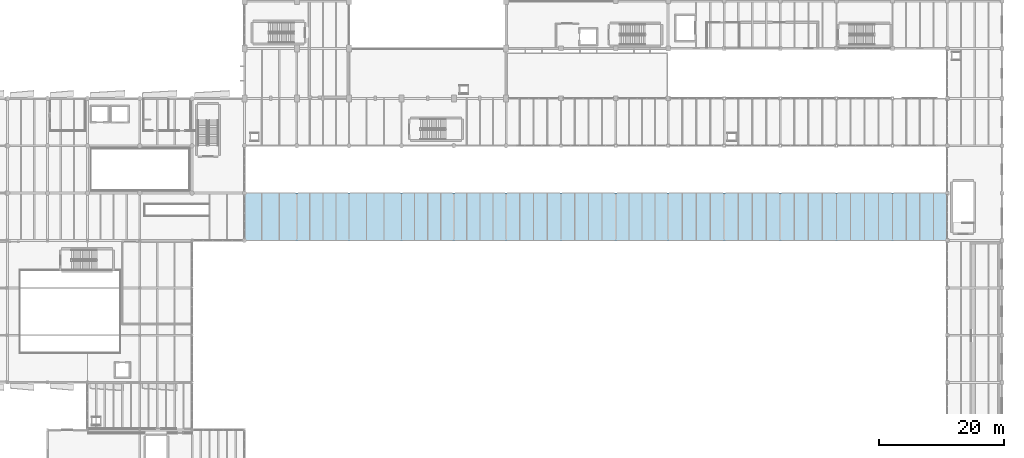
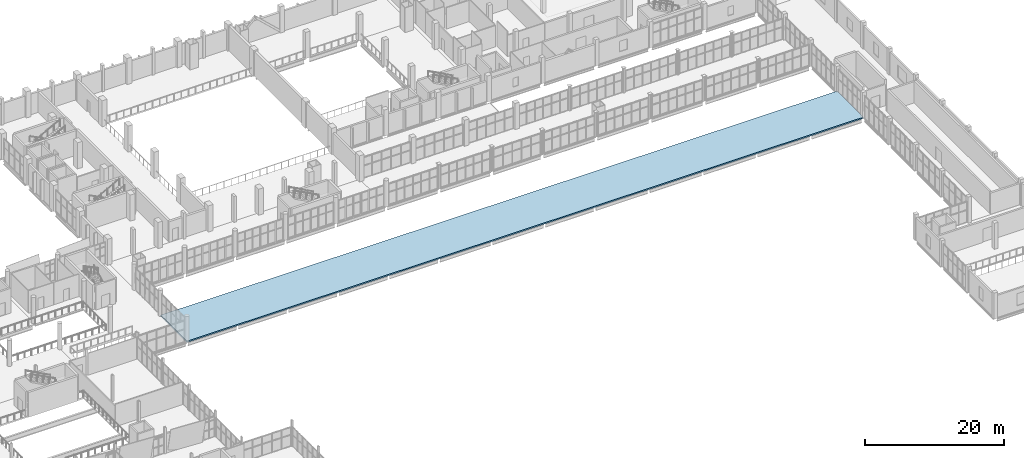
# One storey, part 100 of 136: 1 slab.
"""IFC4 building model written with IfcOpenShell, lengths in metres."""

from ifc_helpers import new_model, si_unit, direction, frame, origin, place, context, subcontext, project, spatial, polyline, outline, extrude, material, layer, layer_set, type_object, element, save


model = new_model("IFC4")

# Units and contexts
model_context = context("Model", 3, precision=1e-05, world=origin(), true_north=direction((0.0, 1.0)))
body_context = subcontext(model_context, "Body", "Model", "MODEL_VIEW")
ifc_project = project(units=[si_unit("LENGTHUNIT", "METRE"), si_unit("AREAUNIT", "SQUARE_METRE"), si_unit("VOLUMEUNIT", "CUBIC_METRE"), si_unit("PLANEANGLEUNIT", "RADIAN"), si_unit("MASSUNIT", "GRAM", prefix="KILO")], contexts=[model_context])

# Site, building, storey
site_placement = place(None, origin())
site = spatial("IfcSite", under=ifc_project, at=site_placement, CompositionType="ELEMENT")
building_placement = place(site_placement, origin())
building = spatial("IfcBuilding", under=site, at=building_placement, Name="Shengluoqiao Park Theatre", CompositionType="ELEMENT")
storey_placement = place(building_placement, frame((0.0, 0.0, 10.0)))
storey = spatial("IfcBuildingStorey", under=building, at=storey_placement, Name="L02", CompositionType="ELEMENT", Elevation=10.0)

# Slab
ifc_material = material(Name="Precast concrete C45", Category="concrete")
ifc_layer = layer(ifc_material, 0.22998046875, Name="Precast concrete C45")
ifc_layer_set = layer_set([ifc_layer], Name="Precast concrete C45")
slab_type = type_object("IfcSlabType", Name="STR-SLB-CR230", PredefinedType="ROOF", material=ifc_layer_set)
slab_placement = place(storey_placement, frame((0.0, 0.0, -0.22998046875)))
element("IfcSlab", 1, at=slab_placement, inside=storey, type_object=slab_type, Name="Park-Court Link Bridge 2 Roof Slab", PredefinedType="ROOF", context=body_context, shape_type="SweptSolid", body=[
    extrude(outline(polyline([(44.39990234375, 53.199951171875), (157.199951171875, 53.199951171875), (157.199951171875, 60.800048828125), (44.39990234375, 60.800048828125), (44.39990234375, 53.199951171875)])), origin(), (0.0, 0.0, 1.0), 0.22998046875),
])

save(model, "model.ifc")
